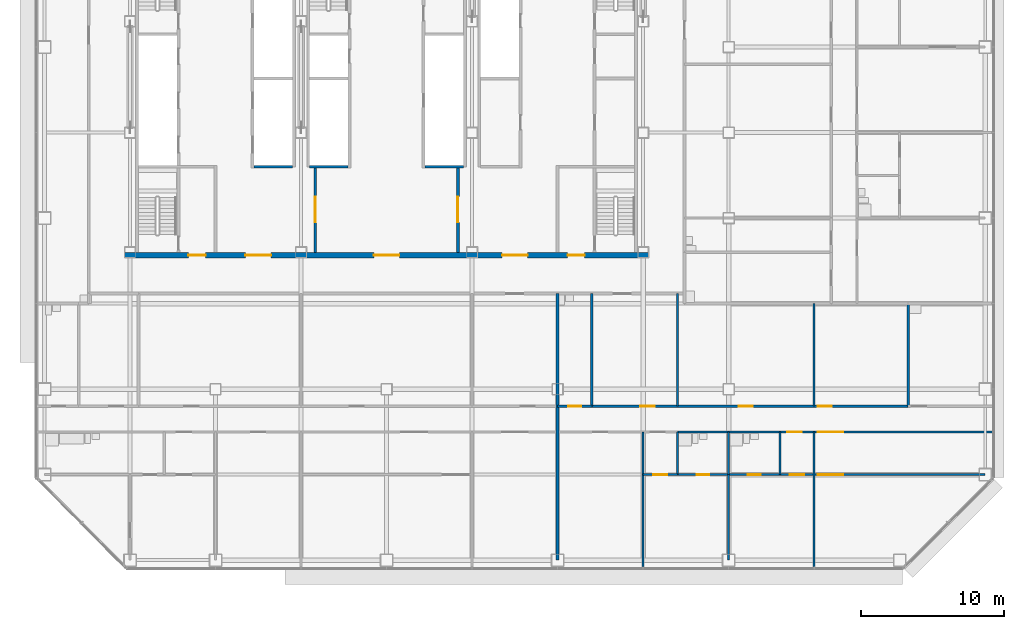
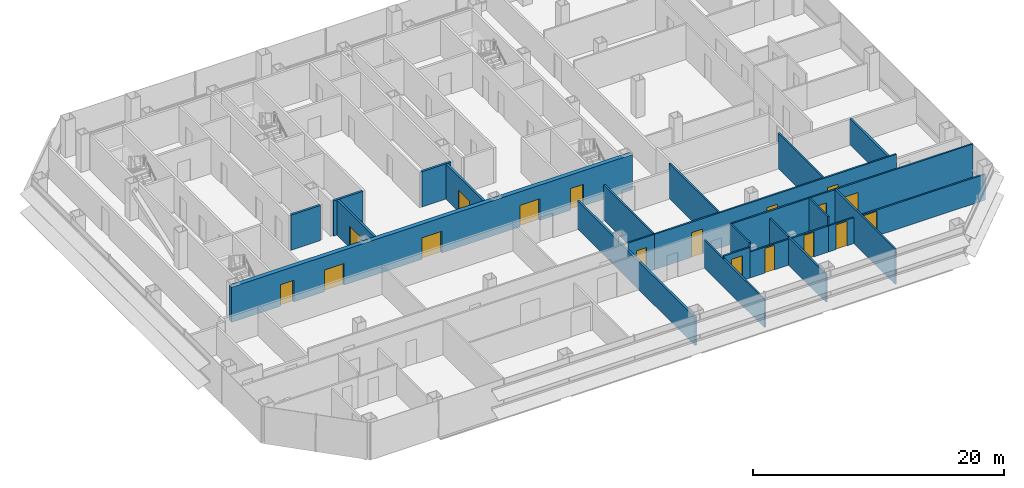
# One storey, part 21 of 27: 24 walls, 18 doors, 18 openings.
"""IFC4 building model written with IfcOpenShell, lengths in metres."""

import ifcopenshell
import ifcopenshell.guid

model = None  # the IFC model being written
_history = None  # IfcOwnerHistory: only IFC2X3 demands one
_inside = {}  # id of a spatial element -> (the spatial element, [elements in it])
_under = {}  # id of a project, library or spatial element -> (it, [spatial elements below it])
_declared = {}  # id of a project -> (the project, [libraries it declares])
_typed = {}  # id of a type object -> (the type object, [elements of that type])
_made_of = {}  # id of a material, layer set ... -> (it, [elements and type objects made of it])


def new_model(schema):
    """Start an empty IFC model of exactly this schema.

    Asked for "IFC4X3", IfcOpenShell would pick the latest addendum, in which some entities
    have other attributes; the version numbers below select the first issue.
    IFC2X3 requires an IfcOwnerHistory on every rooted entity: one is made here for all.
    """
    global model, _history
    if schema == "IFC4X3":
        model = ifcopenshell.file(schema_version=(4, 3, 0, 0))
    else:
        model = ifcopenshell.file(schema=schema)
    _inside.clear()
    _under.clear()
    _declared.clear()
    _typed.clear()
    _made_of.clear()
    _history = None
    if model.schema == "IFC2X3":
        org = make("IfcOrganization", Name="unknown")
        user = make(
            "IfcPersonAndOrganization",
            ThePerson=make("IfcPerson", FamilyName="unknown"),
            TheOrganization=org,
        )
        app = make(
            "IfcApplication",
            ApplicationDeveloper=org,
            Version="unknown",
            ApplicationFullName="unknown",
            ApplicationIdentifier="unknown",
        )
        _history = make(
            "IfcOwnerHistory",
            OwningUser=user,
            OwningApplication=app,
            ChangeAction="ADDED",
            CreationDate=0,
        )
    return model


def make(cls, **values):
    """One entity of the class cls with the attributes given. An attribute that is None is left unset."""
    return model.create_entity(
        cls, **{name: value for name, value in values.items() if value is not None}
    )


def rooted(cls, **values):
    """An entity with a GlobalId (a new one), such as an element, a storey or a relation."""
    return make(cls, GlobalId=ifcopenshell.guid.new(), OwnerHistory=_history, **values)


def si_unit(unit_type, name, prefix=None):
    """IfcSIUnit, for example si_unit("LENGTHUNIT", "METRE", prefix="MILLI")."""
    return make("IfcSIUnit", UnitType=unit_type, Prefix=prefix, Name=name)


def assignment(units):
    """IfcUnitAssignment: the units of a project."""
    return None if units is None else make("IfcUnitAssignment", Units=units)


def point(xyz):
    """IfcCartesianPoint."""
    return None if xyz is None else make("IfcCartesianPoint", Coordinates=xyz)


def direction(xyz):
    """IfcDirection."""
    return None if xyz is None else make("IfcDirection", DirectionRatios=xyz)


def frame(location, z_axis=None, x_axis=None):
    """IfcAxis2Placement3D, a coordinate frame: its origin and axes. An axis left out is left unset."""
    return make(
        "IfcAxis2Placement3D",
        Location=point(location),
        Axis=direction(z_axis),
        RefDirection=direction(x_axis),
    )


def frame_2d(location, x_axis=None):
    """IfcAxis2Placement2D, a coordinate frame in the plane: its origin and x axis."""
    return make(
        "IfcAxis2Placement2D", Location=point(location), RefDirection=direction(x_axis)
    )


def origin():
    """The frame at (0, 0, 0) with its axes left unset."""
    return frame((0.0, 0.0, 0.0))


def place(relative_to, where):
    """IfcLocalPlacement: puts the frame where relative to a parent placement (None: the world)."""
    return make(
        "IfcLocalPlacement", PlacementRelTo=relative_to, RelativePlacement=where
    )


def context(
    kind, dimensions, precision=None, world=None, true_north=None, identifier=None
):
    """IfcGeometricRepresentationContext, for example the 3D "Model" context."""
    return make(
        "IfcGeometricRepresentationContext",
        ContextIdentifier=identifier,
        ContextType=kind,
        CoordinateSpaceDimension=dimensions,
        Precision=precision,
        WorldCoordinateSystem=world,
        TrueNorth=true_north,
    )


def subcontext(parent, identifier, kind, view, scale=None):
    """IfcGeometricRepresentationSubContext, for example "Body" below "Model"."""
    return make(
        "IfcGeometricRepresentationSubContext",
        ContextIdentifier=identifier,
        ContextType=kind,
        ParentContext=parent,
        TargetScale=scale,
        TargetView=view,
    )


def project(units=None, contexts=None):
    """IfcProject with its units and contexts."""
    return rooted(
        "IfcProject",
        Name="project",
        RepresentationContexts=contexts,
        UnitsInContext=assignment(units),
    )


def spatial(cls, under=None, at=None, **own):
    """A site, building, storey or space (cls), placed at a placement, below another one or the project."""
    s = rooted(cls, ObjectPlacement=at, **own)
    if under is not None:
        _under.setdefault(under.id(), (under, []))[1].append(s)
    return s


def profile(cls, at=None, kind="AREA", **sizes):
    """A parametric profile (cls). Its sizes go by their IFC names, for example OverallWidth=200.0."""
    return make(cls, ProfileType=kind, Position=at, **sizes)


def rectangle(**sizes):
    """IfcRectangleProfileDef."""
    return profile("IfcRectangleProfileDef", **sizes)


def extrude(swept, where, along, depth):
    """IfcExtrudedAreaSolid: the profile swept, set in the frame where, extruded along a direction by depth."""
    return make(
        "IfcExtrudedAreaSolid",
        SweptArea=swept,
        Position=where,
        ExtrudedDirection=direction(along),
        Depth=depth,
    )


def shape(context_of_items, identifier, shape_type, items):
    """IfcShapeRepresentation: the items that make up one representation, for example the "Body"."""
    return make(
        "IfcShapeRepresentation",
        ContextOfItems=context_of_items,
        RepresentationIdentifier=identifier,
        RepresentationType=shape_type,
        Items=items,
    )


def material(Name=None, Category=None):
    """IfcMaterial."""
    return make("IfcMaterial", Name=Name, Category=Category)


def layer(
    of_material, thickness, ventilated=None, Name=None, Category=None, Priority=None
):
    """IfcMaterialLayer: one layer of a wall or slab, of a material (None: an air gap)."""
    return make(
        "IfcMaterialLayer",
        Material=of_material,
        LayerThickness=thickness,
        IsVentilated=ventilated,
        Name=Name,
        Category=Category,
        Priority=Priority,
    )


def layer_set(layers, Name=None):
    """IfcMaterialLayerSet."""
    return make("IfcMaterialLayerSet", MaterialLayers=layers, LayerSetName=Name)


def made_of(thing, what):
    """Note that an element or type object is made of a material, layer set ...; save() writes the relation."""
    if what is not None:
        _made_of.setdefault(what.id(), (what, []))[1].append(thing)
    return thing


def type_object(cls, material=None, **own):
    """A type object (cls), such as IfcWallType, which elements share."""
    return made_of(rooted(cls, **own), material)


def element(
    cls,
    number,
    at=None,
    inside=None,
    cuts=None,
    type_object=None,
    material=None,
    context=None,
    identifier="Body",
    shape_type=None,
    held_by="IfcProductDefinitionShape",
    body=None,
    shapes=None,
    **own,
):
    """One element of the class cls, such as IfcWall. Its Tag is "e" and its number.

    at: its placement. inside: the storey or other place that contains it. cuts: it is an
    opening in that element (IfcRelVoidsElement). A single representation is given by context,
    identifier, shape_type and body (its items); several are given by shapes. held_by: the class
    of the entity that holds the representations. save() writes the other relations.
    """
    e = rooted(cls, Tag="e%d" % number, ObjectPlacement=at, **own)
    if body is not None:
        shapes = [shape(context, identifier, shape_type, body)]
    if shapes is not None:
        e.Representation = make(held_by, Representations=shapes)
    if inside is not None:
        _inside.setdefault(inside.id(), (inside, []))[1].append(e)
    if cuts is not None:
        rooted(
            "IfcRelVoidsElement", RelatingBuildingElement=cuts, RelatedOpeningElement=e
        )
    if type_object is not None:
        _typed.setdefault(type_object.id(), (type_object, []))[1].append(e)
    return made_of(e, material)


def fill(opening, filler):
    """IfcRelFillsElement: the door or window that sits in an opening."""
    return rooted(
        "IfcRelFillsElement",
        RelatingOpeningElement=opening,
        RelatedBuildingElement=filler,
    )


def aggregate(whole, parts):
    """IfcRelAggregates: a whole, such as a stair, and the parts it consists of."""
    return rooted("IfcRelAggregates", RelatingObject=whole, RelatedObjects=parts)


def save(model, path):
    """Write the relations noted so far, then the file.

    IfcRelAggregates (storeys below a building ...), IfcRelContainedInSpatialStructure (elements
    in a storey), IfcRelDefinesByType, IfcRelAssociatesMaterial and IfcRelDeclares: one each for
    every whole, place, type object, material and project.
    """
    for whole, parts in _under.values():
        aggregate(whole, parts)
    for where, things in _inside.values():
        rooted(
            "IfcRelContainedInSpatialStructure",
            RelatedElements=things,
            RelatingStructure=where,
        )
    for kind, things in _typed.values():
        rooted("IfcRelDefinesByType", RelatedObjects=things, RelatingType=kind)
    for what, things in _made_of.values():
        rooted("IfcRelAssociatesMaterial", RelatedObjects=things, RelatingMaterial=what)
    for by, libraries in _declared.values():
        rooted("IfcRelDeclares", RelatingContext=by, RelatedDefinitions=libraries)
    model.write(path)


model = new_model("IFC4")

# Units and contexts
model_context = context("Model", 3, precision=1e-05, world=origin(), true_north=direction((0.0, 1.0)))
body_context = subcontext(model_context, "Body", "Model", "MODEL_VIEW")
ifc_project = project(units=[si_unit("LENGTHUNIT", "METRE"), si_unit("AREAUNIT", "SQUARE_METRE"), si_unit("VOLUMEUNIT", "CUBIC_METRE"), si_unit("PLANEANGLEUNIT", "RADIAN"), si_unit("MASSUNIT", "GRAM", prefix="KILO")], contexts=[model_context])

# Site, building, storey
site_placement = place(None, origin())
site = spatial("IfcSite", under=ifc_project, at=site_placement, CompositionType="ELEMENT")
building_placement = place(site_placement, origin())
building = spatial("IfcBuilding", under=site, at=building_placement, Name="Sorahane Residences", CompositionType="ELEMENT")
storey_placement = place(building_placement, frame((0.0, 0.0, 57.0)))
storey = spatial("IfcBuildingStorey", under=building, at=storey_placement, Name="L10", CompositionType="ELEMENT", Elevation=57.0)

# Walls
ifc_material_1 = material(Name="Concrete blockwork C20 wall", Category="masonry")
ifc_layer_1 = layer(ifc_material_1, 0.199951171875)
ifc_layer_set_1 = layer_set([ifc_layer_1], Name="Kitchen wall 200 EI 180")
wall_type_1 = type_object("IfcWallType", Name="Kitchen wall 200 EI 180", PredefinedType="SOLIDWALL", material=ifc_layer_set_1)
wall_1_placement = place(storey_placement, frame((60.60009765625, 10.800048828125, 0.0), z_axis=(0.0, 0.0, 1.0), x_axis=(0.0, 1.0, 0.0)))
element("IfcWall", 1, at=wall_1_placement, inside=storey, type_object=wall_type_1, Name="L10 kitchen wall", PredefinedType="SOLIDWALL", context=body_context, shape_type="SweptSolid", body=[
    extrude(rectangle(XDim=7.199951171875, YDim=0.199951171875, at=frame_2d((3.60009765625, 0.0))), origin(), (0.0, 0.0, 1.0), 2.52001953125),
])
ifc_material_2 = material(Name="Concrete C30", Category="concrete")
ifc_layer_2 = layer(ifc_material_2, 0.199951171875)
ifc_layer_set_2 = layer_set([ifc_layer_2], Name="Lift shaft wall 200 EI 120")
wall_type_2 = type_object("IfcWallType", Name="Lift shaft wall 200 EI 120", PredefinedType="SOLIDWALL", material=ifc_layer_set_2)
for number, where, z_axis, x_axis, name in (
    (2, (14.699951171875, 27.60009765625, 0.0), (0.0, 0.0, 1.0), (1.0, 0.0, 0.0), "L10 lift shaft wall"),
    (3, (18.60009765625, 27.60009765625, 0.0), (0.0, 0.0, 1.0), (1.0, 0.0, 0.0), "L10 lift shaft wall"),
):
    element("IfcWall", number, at=place(storey_placement, frame(where, z_axis=z_axis, x_axis=x_axis)), inside=storey, type_object=wall_type_2, Name=name, PredefinedType="SOLIDWALL", context=body_context, shape_type="SweptSolid", body=[
        extrude(rectangle(XDim=2.699951171875, YDim=0.199951171875, at=frame_2d((1.35009765625, 0.0))), origin(), (0.0, 0.0, 1.0), 3.419921875),
    ])
ifc_material_3 = material(Name="Gypsum board partition on steel studs", Category="steel")
ifc_layer_3 = layer(ifc_material_3, 0.14990234375)
ifc_layer_set_3 = layer_set([ifc_layer_3], Name="Partition 150 EI 90")
wall_type_3 = type_object("IfcWallType", Name="Partition 150 EI 90", PredefinedType="PARTITIONING", material=ifc_layer_set_3)
wall_2_placement = place(storey_placement, frame((42.0, -0.60009765625, 0.0), z_axis=(0.0, 0.0, 1.0), x_axis=(0.0, 1.0, 0.0)))
element("IfcWall", 4, at=wall_2_placement, inside=storey, type_object=wall_type_3, Name="L10 partition", PredefinedType="PARTITIONING", context=body_context, shape_type="SweptSolid", body=[
    extrude(rectangle(XDim=9.60009765625, YDim=0.14990234375, at=frame_2d((4.800048828125, 0.0))), origin(), (0.0, 0.0, 1.0), 2.719970703125),
])
wall_3_placement = place(storey_placement, frame((44.39990234375, 10.800048828125, 0.0), z_axis=(0.0, 0.0, 1.0), x_axis=(0.0, 1.0, 0.0)))
element("IfcWall", 5, at=wall_3_placement, inside=storey, type_object=wall_type_3, Name="L10 partition", PredefinedType="PARTITIONING", context=body_context, shape_type="SweptSolid", body=[
    extrude(rectangle(XDim=7.89990234375, YDim=0.14990234375, at=frame_2d((3.949951171875, 0.0))), origin(), (0.0, 0.0, 1.0), 3.419921875),
])
wall_4_placement = place(storey_placement, frame((48.0, 0.0, 0.0), z_axis=(0.0, 0.0, 1.0), x_axis=(0.0, 1.0, 0.0)))
element("IfcWall", 6, at=wall_4_placement, inside=storey, type_object=wall_type_3, Name="L10 partition", PredefinedType="PARTITIONING", context=body_context, shape_type="SweptSolid", body=[
    extrude(rectangle(XDim=6.0, YDim=0.14990234375, at=frame_2d((3.0, 0.0))), origin(), (0.0, 0.0, 1.0), 2.719970703125),
])
wall_5_placement = place(storey_placement, frame((54.0, -0.60009765625, 0.0), z_axis=(0.0, 0.0, 1.0), x_axis=(0.0, 1.0, 0.0)))
element("IfcWall", 7, at=wall_5_placement, inside=storey, type_object=wall_type_3, Name="L10 partition", PredefinedType="PARTITIONING", context=body_context, shape_type="SweptSolid", body=[
    extrude(rectangle(XDim=9.60009765625, YDim=0.14990234375, at=frame_2d((4.800048828125, 0.0))), origin(), (0.0, 0.0, 1.0), 3.419921875),
])
wall_6_placement = place(storey_placement, frame((54.0, 10.800048828125, 0.0), z_axis=(0.0, 0.0, 1.0), x_axis=(0.0, 1.0, 0.0)))
element("IfcWall", 8, at=wall_6_placement, inside=storey, type_object=wall_type_3, Name="L10 partition", PredefinedType="PARTITIONING", context=body_context, shape_type="SweptSolid", body=[
    extrude(rectangle(XDim=7.199951171875, YDim=0.14990234375, at=frame_2d((3.60009765625, 0.0))), origin(), (0.0, 0.0, 1.0), 3.419921875),
])

# Wall, openings, doors
wall_7_placement = place(storey_placement, frame((38.39990234375, 10.800048828125, 0.0), z_axis=(0.0, 0.0, 1.0), x_axis=(1.0, 0.0, 0.0)))
wall_7 = element("IfcWall", 9, at=wall_7_placement, inside=storey, type_object=wall_type_3, Name="L10 partition", PredefinedType="PARTITIONING", context=body_context, shape_type="SweptSolid", body=[
    extrude(rectangle(XDim=22.2001953125, YDim=0.14990234375, at=frame_2d((11.10009765625, 0.0))), origin(), (0.0, 0.0, 1.0), 3.419921875),
])
opening_1_placement = place(wall_7_placement, frame((3.39990234375, 0.0, 0.0)))
opening_1 = element("IfcOpeningElement", 10, at=opening_1_placement, cuts=wall_7, Name="Opening L10-14", PredefinedType="OPENING", context=body_context, shape_type="SweptSolid", body=[
    extrude(rectangle(XDim=1.0, YDim=2.39990234375, at=frame_2d((0.5, 1.199951171875))), frame((0.0, 0.0849609375, 0.0), z_axis=(0.0, -1.0, 0.0), x_axis=(1.0, 0.0, 0.0)), (0.0, 0.0, 1.0), 0.169921875),
])
opening_2_placement = place(wall_7_placement, frame((10.300048828125, 0.0, 0.0)))
opening_2 = element("IfcOpeningElement", 11, at=opening_2_placement, cuts=wall_7, Name="Opening L10-16", PredefinedType="OPENING", context=body_context, shape_type="SweptSolid", body=[
    extrude(rectangle(XDim=1.0, YDim=2.39990234375, at=frame_2d((0.5, 1.199951171875))), frame((0.0, 0.0849609375, 0.0), z_axis=(0.0, -1.0, 0.0), x_axis=(1.0, 0.0, 0.0)), (0.0, 0.0, 1.0), 0.169921875),
])
opening_3_placement = place(wall_7_placement, frame((15.85009765625, 0.0, 0.0)))
opening_3 = element("IfcOpeningElement", 12, at=opening_3_placement, cuts=wall_7, Name="Opening L10-17", PredefinedType="OPENING", context=body_context, shape_type="SweptSolid", body=[
    extrude(rectangle(XDim=1.0, YDim=2.39990234375, at=frame_2d((0.5, 1.199951171875))), frame((0.0, 0.0849609375, 0.0), z_axis=(0.0, -1.0, 0.0), x_axis=(1.0, 0.0, 0.0)), (0.0, 0.0, 1.0), 0.169921875),
])
ifc_material_4 = material(Name="Timber veneered fire door", Category="wood")
door_type_1 = type_object("IfcDoorType", Name="Room door 1000x2400 FD30", OperationType="NOTDEFINED", PredefinedType="DOOR", material=ifc_material_4)
door_1_placement = place(opening_1_placement, frame((1.0, 0.0, 0.0), z_axis=(0.0, 0.0, 1.0), x_axis=(-1.0, 0.0, 0.0)))
door_1 = element("IfcDoor", 13, at=door_1_placement, inside=storey, type_object=door_type_1, Name="Room door L10-14", OperationType="SINGLE_SWING_RIGHT", OverallHeight=2.39990234375, OverallWidth=1.0, PredefinedType="DOOR", context=body_context, shape_type="SweptSolid", body=[
    extrude(rectangle(XDim=1.0, YDim=2.39990234375, at=frame_2d((0.5, 1.199951171875))), frame((0.0, 0.02490234375, 0.0), z_axis=(0.0, -1.0, 0.0), x_axis=(1.0, 0.0, 0.0)), (0.0, 0.0, 1.0), 0.050048828125),
])
fill(opening_1, door_1)
door_2_placement = place(opening_2_placement, origin())
door_2 = element("IfcDoor", 14, at=door_2_placement, inside=storey, type_object=door_type_1, Name="Room door L10-16", OperationType="SINGLE_SWING_LEFT", OverallHeight=2.39990234375, OverallWidth=1.0, PredefinedType="DOOR", context=body_context, shape_type="SweptSolid", body=[
    extrude(rectangle(XDim=1.0, YDim=2.39990234375, at=frame_2d((0.5, 1.199951171875))), frame((0.0, 0.02490234375, 0.0), z_axis=(0.0, -1.0, 0.0), x_axis=(1.0, 0.0, 0.0)), (0.0, 0.0, 1.0), 0.050048828125),
])
fill(opening_2, door_2)
door_3_placement = place(opening_3_placement, origin())
door_3 = element("IfcDoor", 15, at=door_3_placement, inside=storey, type_object=door_type_1, Name="Room door L10-17", OperationType="SINGLE_SWING_RIGHT", OverallHeight=2.39990234375, OverallWidth=1.0, PredefinedType="DOOR", context=body_context, shape_type="SweptSolid", body=[
    extrude(rectangle(XDim=1.0, YDim=2.39990234375, at=frame_2d((0.5, 1.199951171875))), frame((0.0, 0.02490234375, 0.0), z_axis=(0.0, -1.0, 0.0), x_axis=(1.0, 0.0, 0.0)), (0.0, 0.0, 1.0), 0.050048828125),
])
fill(opening_3, door_3)

# Wall, opening, door
wall_8_placement = place(storey_placement, frame((42.0, 6.0, 0.0), z_axis=(0.0, 0.0, 1.0), x_axis=(1.0, 0.0, 0.0)))
wall_8 = element("IfcWall", 16, at=wall_8_placement, inside=storey, type_object=wall_type_3, Name="L10 partition", PredefinedType="PARTITIONING", context=body_context, shape_type="SweptSolid", body=[
    extrude(rectangle(XDim=2.39990234375, YDim=0.14990234375, at=frame_2d((1.199951171875, 0.0))), origin(), (0.0, 0.0, 1.0), 2.969970703125),
])
opening_4_placement = place(wall_8_placement, frame((0.699951171875, 0.0, 0.0)))
opening_4 = element("IfcOpeningElement", 17, at=opening_4_placement, cuts=wall_8, Name="Opening L10-23", PredefinedType="OPENING", context=body_context, shape_type="SweptSolid", body=[
    extrude(rectangle(XDim=1.0, YDim=2.39990234375, at=frame_2d((0.5, 1.199951171875))), frame((0.0, 0.0849609375, 0.0), z_axis=(0.0, -1.0, 0.0), x_axis=(1.0, 0.0, 0.0)), (0.0, 0.0, 1.0), 0.169921875),
])
door_4_placement = place(opening_4_placement, frame((1.0, 0.0, 0.0), z_axis=(0.0, 0.0, 1.0), x_axis=(-1.0, 0.0, 0.0)))
door_4 = element("IfcDoor", 18, at=door_4_placement, inside=storey, type_object=door_type_1, Name="Room door L10-23", OperationType="SINGLE_SWING_RIGHT", OverallHeight=2.39990234375, OverallWidth=1.0, PredefinedType="DOOR", context=body_context, shape_type="SweptSolid", body=[
    extrude(rectangle(XDim=1.0, YDim=2.39990234375, at=frame_2d((0.5, 1.199951171875))), frame((0.0, 0.02490234375, 0.0), z_axis=(0.0, -1.0, 0.0), x_axis=(1.0, 0.0, 0.0)), (0.0, 0.0, 1.0), 0.050048828125),
])
fill(opening_4, door_4)

# Wall, openings, doors
wall_9_placement = place(storey_placement, frame((51.60009765625, 6.0, 0.0), z_axis=(0.0, 0.0, 1.0), x_axis=(1.0, 0.0, 0.0)))
wall_9 = element("IfcWall", 19, at=wall_9_placement, inside=storey, type_object=wall_type_3, Name="L10 partition", PredefinedType="PARTITIONING", context=body_context, shape_type="SweptSolid", body=[
    extrude(rectangle(XDim=14.39990234375, YDim=0.14990234375, at=frame_2d((7.199951171875, 0.0))), origin(), (0.0, 0.0, 1.0), 2.52001953125),
])
opening_5_placement = place(wall_9_placement, frame((0.699951171875, 0.0, 0.0)))
opening_5 = element("IfcOpeningElement", 20, at=opening_5_placement, cuts=wall_9, Name="Opening L10-25", PredefinedType="OPENING", context=body_context, shape_type="SweptSolid", body=[
    extrude(rectangle(XDim=1.0, YDim=2.39990234375, at=frame_2d((0.5, 1.199951171875))), frame((0.0, 0.0849609375, 0.0), z_axis=(0.0, -1.0, 0.0), x_axis=(1.0, 0.0, 0.0)), (0.0, 0.0, 1.0), 0.169921875),
])
opening_6_placement = place(wall_9_placement, frame((2.64990234375, 0.0, 0.0)))
opening_6 = element("IfcOpeningElement", 21, at=opening_6_placement, cuts=wall_9, Name="Opening L10-27", PredefinedType="OPENING", context=body_context, shape_type="SweptSolid", body=[
    extrude(rectangle(XDim=1.800048828125, YDim=2.39990234375, at=frame_2d((0.89990234375, 1.199951171875))), frame((0.0, 0.0849609375, 0.0), z_axis=(0.0, -1.0, 0.0), x_axis=(1.0, 0.0, 0.0)), (0.0, 0.0, 1.0), 0.169921875),
])
ifc_material_5 = material(Name="Timber veneered fire door", Category="wood")
door_type_2 = type_object("IfcDoorType", Name="Double door 1800x2400 FD30", OperationType="NOTDEFINED", PredefinedType="DOOR", material=ifc_material_5)
door_5_placement = place(opening_6_placement, frame((1.800048828125, 0.0, 0.0), z_axis=(0.0, 0.0, 1.0), x_axis=(-1.0, 0.0, 0.0)))
door_5 = element("IfcDoor", 22, at=door_5_placement, inside=storey, type_object=door_type_2, Name="Double door L10-27", OperationType="SINGLE_SWING_RIGHT", OverallHeight=2.39990234375, OverallWidth=1.800048828125, PredefinedType="DOOR", context=body_context, shape_type="SweptSolid", body=[
    extrude(rectangle(XDim=1.800048828125, YDim=2.39990234375, at=frame_2d((0.89990234375, 1.199951171875))), frame((0.0, 0.02490234375, 0.0), z_axis=(0.0, -1.0, 0.0), x_axis=(1.0, 0.0, 0.0)), (0.0, 0.0, 1.0), 0.050048828125),
])
fill(opening_6, door_5)
door_6_placement = place(opening_5_placement, frame((1.0, 0.0, 0.0), z_axis=(0.0, 0.0, 1.0), x_axis=(-1.0, 0.0, 0.0)))
door_6 = element("IfcDoor", 23, at=door_6_placement, inside=storey, type_object=door_type_1, Name="Room door L10-25", OperationType="SINGLE_SWING_RIGHT", OverallHeight=2.39990234375, OverallWidth=1.0, PredefinedType="DOOR", context=body_context, shape_type="SweptSolid", body=[
    extrude(rectangle(XDim=1.0, YDim=2.39990234375, at=frame_2d((0.5, 1.199951171875))), frame((0.0, 0.02490234375, 0.0), z_axis=(0.0, -1.0, 0.0), x_axis=(1.0, 0.0, 0.0)), (0.0, 0.0, 1.0), 0.050048828125),
])
fill(opening_5, door_6)

wall_10_placement = place(storey_placement, frame((51.60009765625, 9.0, 0.0), z_axis=(0.0, 0.0, 1.0), x_axis=(1.0, 0.0, 0.0)))
wall_10 = element("IfcWall", 24, at=wall_10_placement, inside=storey, type_object=wall_type_3, Name="L10 partition", PredefinedType="PARTITIONING", context=body_context, shape_type="SweptSolid", body=[
    extrude(rectangle(XDim=15.0, YDim=0.14990234375, at=frame_2d((7.5, 0.0))), origin(), (0.0, 0.0, 1.0), 3.419921875),
])
opening_7_placement = place(wall_10_placement, frame((0.52001953125, 0.0, 0.0)))
opening_7 = element("IfcOpeningElement", 25, at=opening_7_placement, cuts=wall_10, Name="Opening L10-21", PredefinedType="OPENING", context=body_context, shape_type="SweptSolid", body=[
    extrude(rectangle(XDim=1.0, YDim=2.39990234375, at=frame_2d((0.5, 1.199951171875))), frame((0.0, 0.0849609375, 0.0), z_axis=(0.0, -1.0, 0.0), x_axis=(1.0, 0.0, 0.0)), (0.0, 0.0, 1.0), 0.169921875),
])
opening_8_placement = place(wall_10_placement, frame((2.64990234375, 0.0, 0.0)))
opening_8 = element("IfcOpeningElement", 26, at=opening_8_placement, cuts=wall_10, Name="Opening L10-22", PredefinedType="OPENING", context=body_context, shape_type="SweptSolid", body=[
    extrude(rectangle(XDim=1.800048828125, YDim=2.39990234375, at=frame_2d((0.89990234375, 1.199951171875))), frame((0.0, 0.0849609375, 0.0), z_axis=(0.0, -1.0, 0.0), x_axis=(1.0, 0.0, 0.0)), (0.0, 0.0, 1.0), 0.169921875),
])
door_7_placement = place(opening_8_placement, frame((1.800048828125, 0.0, 0.0), z_axis=(0.0, 0.0, 1.0), x_axis=(-1.0, 0.0, 0.0)))
door_7 = element("IfcDoor", 27, at=door_7_placement, inside=storey, type_object=door_type_2, Name="Double door L10-22", OperationType="SINGLE_SWING_LEFT", OverallHeight=2.39990234375, OverallWidth=1.800048828125, PredefinedType="DOOR", context=body_context, shape_type="SweptSolid", body=[
    extrude(rectangle(XDim=1.800048828125, YDim=2.39990234375, at=frame_2d((0.89990234375, 1.199951171875))), frame((0.0, 0.02490234375, 0.0), z_axis=(0.0, -1.0, 0.0), x_axis=(1.0, 0.0, 0.0)), (0.0, 0.0, 1.0), 0.050048828125),
])
fill(opening_8, door_7)
door_8_placement = place(opening_7_placement, frame((1.0, 0.0, 0.0), z_axis=(0.0, 0.0, 1.0), x_axis=(-1.0, 0.0, 0.0)))
door_8 = element("IfcDoor", 28, at=door_8_placement, inside=storey, type_object=door_type_1, Name="Room door L10-21", OperationType="SINGLE_SWING_RIGHT", OverallHeight=2.39990234375, OverallWidth=1.0, PredefinedType="DOOR", context=body_context, shape_type="SweptSolid", body=[
    extrude(rectangle(XDim=1.0, YDim=2.39990234375, at=frame_2d((0.5, 1.199951171875))), frame((0.0, 0.02490234375, 0.0), z_axis=(0.0, -1.0, 0.0), x_axis=(1.0, 0.0, 0.0)), (0.0, 0.0, 1.0), 0.050048828125),
])
fill(opening_7, door_8)

# Walls
ifc_material_6 = material(Name="Concrete blockwork C20 wall", Category="masonry")
ifc_layer_4 = layer(ifc_material_6, 0.199951171875)
ifc_layer_set_4 = layer_set([ifc_layer_4], Name="Party wall 200 EI 120")
wall_type_4 = type_object("IfcWallType", Name="Party wall 200 EI 120", PredefinedType="SOLIDWALL", material=ifc_layer_set_4)
wall_11_placement = place(storey_placement, frame((36.0, 0.0, 0.0), z_axis=(0.0, 0.0, 1.0), x_axis=(0.0, 1.0, 0.0)))
element("IfcWall", 29, at=wall_11_placement, inside=storey, type_object=wall_type_4, Name="L10 party wall", PredefinedType="SOLIDWALL", context=body_context, shape_type="SweptSolid", body=[
    extrude(rectangle(XDim=18.699951171875, YDim=0.199951171875, at=frame_2d((9.35009765625, 0.0))), origin(), (0.0, 0.0, 1.0), 2.719970703125),
])
ifc_material_7 = material(Name="Concrete C30", Category="concrete")
ifc_layer_5 = layer(ifc_material_7, 0.199951171875)
ifc_layer_set_5 = layer_set([ifc_layer_5], Name="Riser shaft wall 200 EI 120")
wall_type_5 = type_object("IfcWallType", Name="Riser shaft wall 200 EI 120", PredefinedType="SOLIDWALL", material=ifc_layer_set_5)
wall_12_placement = place(storey_placement, frame((26.699951171875, 27.60009765625, 0.0), z_axis=(0.0, 0.0, 1.0), x_axis=(1.0, 0.0, 0.0)))
element("IfcWall", 30, at=wall_12_placement, inside=storey, type_object=wall_type_5, Name="L10 riser wall", PredefinedType="SOLIDWALL", context=body_context, shape_type="SweptSolid", body=[
    extrude(rectangle(XDim=2.699951171875, YDim=0.199951171875, at=frame_2d((1.35009765625, 0.0))), origin(), (0.0, 0.0, 1.0), 3.419921875),
])

# Wall, opening, door
ifc_material_8 = material(Name="Concrete C30", Category="concrete")
ifc_layer_6 = layer(ifc_material_8, 0.199951171875)
ifc_layer_set_6 = layer_set([ifc_layer_6], Name="Service room partition 200 EI 60")
wall_type_6 = type_object("IfcWallType", Name="Service room partition 200 EI 60", PredefinedType="PARTITIONING", material=ifc_layer_set_6)
wall_13_placement = place(storey_placement, frame((19.0, 21.60009765625, 0.0), z_axis=(0.0, 0.0, 1.0), x_axis=(0.0, 1.0, 0.0)))
wall_13 = element("IfcWall", 31, at=wall_13_placement, inside=storey, type_object=wall_type_6, Name="L10 service room wall", PredefinedType="PARTITIONING", context=body_context, shape_type="SweptSolid", body=[
    extrude(rectangle(XDim=6.0, YDim=0.199951171875, at=frame_2d((3.0, 0.0))), origin(), (0.0, 0.0, 1.0), 3.419921875),
])
opening_9_placement = place(wall_13_placement, frame((2.10009765625, 0.0, 0.0)))
opening_9 = element("IfcOpeningElement", 32, at=opening_9_placement, cuts=wall_13, Name="Opening L10-C02", PredefinedType="OPENING", context=body_context, shape_type="SweptSolid", body=[
    extrude(rectangle(XDim=1.800048828125, YDim=2.10009765625, at=frame_2d((0.89990234375, 1.050048828125))), frame((0.0, 0.10986328125, 0.0), z_axis=(0.0, -1.0, 0.0), x_axis=(1.0, 0.0, 0.0)), (0.0, 0.0, 1.0), 0.219970703125),
])
ifc_material_9 = material(Name="Steel", Category="steel")
door_type_3 = type_object("IfcDoorType", Name="Waiting hall door 1800x2100 FD60", OperationType="NOTDEFINED", PredefinedType="DOOR", material=ifc_material_9)
door_9_placement = place(opening_9_placement, origin())
door_9 = element("IfcDoor", 33, at=door_9_placement, inside=storey, type_object=door_type_3, Name="Waiting hall door Residents' waiting hall west L10", OperationType="SINGLE_SWING_LEFT", OverallHeight=2.10009765625, OverallWidth=1.800048828125, PredefinedType="DOOR", context=body_context, shape_type="SweptSolid", body=[
    extrude(rectangle(XDim=1.800048828125, YDim=2.10009765625, at=frame_2d((0.89990234375, 1.050048828125))), frame((0.0, 0.02490234375, 0.0), z_axis=(0.0, -1.0, 0.0), x_axis=(1.0, 0.0, 0.0)), (0.0, 0.0, 1.0), 0.050048828125),
])
fill(opening_9, door_9)

wall_14_placement = place(storey_placement, frame((29.0, 21.60009765625, 0.0), z_axis=(0.0, 0.0, 1.0), x_axis=(0.0, 1.0, 0.0)))
wall_14 = element("IfcWall", 34, at=wall_14_placement, inside=storey, type_object=wall_type_6, Name="L10 service room wall", PredefinedType="PARTITIONING", context=body_context, shape_type="SweptSolid", body=[
    extrude(rectangle(XDim=6.0, YDim=0.199951171875, at=frame_2d((3.0, 0.0))), origin(), (0.0, 0.0, 1.0), 3.419921875),
])
opening_10_placement = place(wall_14_placement, frame((2.10009765625, 0.0, 0.0)))
opening_10 = element("IfcOpeningElement", 35, at=opening_10_placement, cuts=wall_14, Name="Opening L10-C04", PredefinedType="OPENING", context=body_context, shape_type="SweptSolid", body=[
    extrude(rectangle(XDim=1.800048828125, YDim=2.10009765625, at=frame_2d((0.89990234375, 1.050048828125))), frame((0.0, 0.10986328125, 0.0), z_axis=(0.0, -1.0, 0.0), x_axis=(1.0, 0.0, 0.0)), (0.0, 0.0, 1.0), 0.219970703125),
])
door_10_placement = place(opening_10_placement, origin())
door_10 = element("IfcDoor", 36, at=door_10_placement, inside=storey, type_object=door_type_3, Name="Waiting hall door Residents' waiting hall centre L10", OperationType="SINGLE_SWING_LEFT", OverallHeight=2.10009765625, OverallWidth=1.800048828125, PredefinedType="DOOR", context=body_context, shape_type="SweptSolid", body=[
    extrude(rectangle(XDim=1.800048828125, YDim=2.10009765625, at=frame_2d((0.89990234375, 1.050048828125))), frame((0.0, 0.02490234375, 0.0), z_axis=(0.0, -1.0, 0.0), x_axis=(1.0, 0.0, 0.0)), (0.0, 0.0, 1.0), 0.050048828125),
])
fill(opening_10, door_10)

# Wall, openings, doors
ifc_material_10 = material(Name="Concrete C30", Category="concrete")
ifc_layer_7 = layer(ifc_material_10, 0.39990234375)
ifc_layer_set_7 = layer_set([ifc_layer_7], Name="Waiting hall wall 400 EI 120")
wall_type_7 = type_object("IfcWallType", Name="Waiting hall wall 400 EI 120", PredefinedType="SOLIDWALL", material=ifc_layer_set_7)
wall_15_placement = place(storey_placement, frame((5.60009765625, 21.39990234375, 0.0), z_axis=(0.0, 0.0, 1.0), x_axis=(1.0, 0.0, 0.0)))
wall_15 = element("IfcWall", 37, at=wall_15_placement, inside=storey, type_object=wall_type_7, Name="L10 waiting hall wall", PredefinedType="SOLIDWALL", context=body_context, shape_type="SweptSolid", body=[
    extrude(rectangle(XDim=36.7998046875, YDim=0.39990234375, at=frame_2d((18.39990234375, 0.0))), origin(), (0.0, 0.0, 1.0), 3.419921875),
])
opening_11_placement = place(wall_15_placement, frame((8.5, 0.0, 0.0)))
opening_11 = element("IfcOpeningElement", 38, at=opening_11_placement, cuts=wall_15, Name="Opening L10-C01", PredefinedType="OPENING", context=body_context, shape_type="SweptSolid", body=[
    extrude(rectangle(XDim=1.800048828125, YDim=2.10009765625, at=frame_2d((0.89990234375, 1.050048828125))), frame((0.0, 0.2099609375, 0.0), z_axis=(0.0, -1.0, 0.0), x_axis=(1.0, 0.0, 0.0)), (0.0, 0.0, 1.0), 0.419921875),
])
opening_12_placement = place(wall_15_placement, frame((17.5, 0.0, 0.0)))
opening_12 = element("IfcOpeningElement", 39, at=opening_12_placement, cuts=wall_15, Name="Opening L10-C03", PredefinedType="OPENING", context=body_context, shape_type="SweptSolid", body=[
    extrude(rectangle(XDim=1.800048828125, YDim=2.10009765625, at=frame_2d((0.89990234375, 1.050048828125))), frame((0.0, 0.2099609375, 0.0), z_axis=(0.0, -1.0, 0.0), x_axis=(1.0, 0.0, 0.0)), (0.0, 0.0, 1.0), 0.419921875),
])
opening_13_placement = place(wall_15_placement, frame((26.5, 0.0, 0.0)))
opening_13 = element("IfcOpeningElement", 40, at=opening_13_placement, cuts=wall_15, Name="Opening L10-C05", PredefinedType="OPENING", context=body_context, shape_type="SweptSolid", body=[
    extrude(rectangle(XDim=1.800048828125, YDim=2.10009765625, at=frame_2d((0.89990234375, 1.050048828125))), frame((0.0, 0.2099609375, 0.0), z_axis=(0.0, -1.0, 0.0), x_axis=(1.0, 0.0, 0.0)), (0.0, 0.0, 1.0), 0.419921875),
])
opening_14_placement = place(wall_15_placement, frame((4.5, 0.0, 0.0)))
opening_14 = element("IfcOpeningElement", 41, at=opening_14_placement, cuts=wall_15, Name="Opening L10-C06", PredefinedType="OPENING", context=body_context, shape_type="SweptSolid", body=[
    extrude(rectangle(XDim=1.199951171875, YDim=2.10009765625, at=frame_2d((0.60009765625, 1.050048828125))), frame((0.0, 0.2099609375, 0.0), z_axis=(0.0, -1.0, 0.0), x_axis=(1.0, 0.0, 0.0)), (0.0, 0.0, 1.0), 0.419921875),
])
opening_15_placement = place(wall_15_placement, frame((31.10009765625, 0.0, 0.0)))
opening_15 = element("IfcOpeningElement", 42, at=opening_15_placement, cuts=wall_15, Name="Opening L10-C07", PredefinedType="OPENING", context=body_context, shape_type="SweptSolid", body=[
    extrude(rectangle(XDim=1.199951171875, YDim=2.10009765625, at=frame_2d((0.60009765625, 1.050048828125))), frame((0.0, 0.2099609375, 0.0), z_axis=(0.0, -1.0, 0.0), x_axis=(1.0, 0.0, 0.0)), (0.0, 0.0, 1.0), 0.419921875),
])
ifc_material_11 = material(Name="Steel", Category="steel")
door_type_4 = type_object("IfcDoorType", Name="Stair front room door 1200x2100 FD120", OperationType="NOTDEFINED", PredefinedType="DOOR", material=ifc_material_11)
door_11_placement = place(opening_14_placement, frame((1.199951171875, 0.0, 0.0), z_axis=(0.0, 0.0, 1.0), x_axis=(-1.0, 0.0, 0.0)))
door_11 = element("IfcDoor", 43, at=door_11_placement, inside=storey, type_object=door_type_4, Name="Stair front room door Stair S4 front room L10", OperationType="SINGLE_SWING_LEFT", OverallHeight=2.10009765625, OverallWidth=1.199951171875, PredefinedType="DOOR", context=body_context, shape_type="SweptSolid", body=[
    extrude(rectangle(XDim=1.199951171875, YDim=2.10009765625, at=frame_2d((0.60009765625, 1.050048828125))), frame((0.0, 0.02490234375, 0.0), z_axis=(0.0, -1.0, 0.0), x_axis=(1.0, 0.0, 0.0)), (0.0, 0.0, 1.0), 0.050048828125),
])
fill(opening_14, door_11)
door_12_placement = place(opening_15_placement, frame((1.199951171875, 0.0, 0.0), z_axis=(0.0, 0.0, 1.0), x_axis=(-1.0, 0.0, 0.0)))
door_12 = element("IfcDoor", 44, at=door_12_placement, inside=storey, type_object=door_type_4, Name="Stair front room door Stair S5 front room L10", OperationType="SINGLE_SWING_LEFT", OverallHeight=2.10009765625, OverallWidth=1.199951171875, PredefinedType="DOOR", context=body_context, shape_type="SweptSolid", body=[
    extrude(rectangle(XDim=1.199951171875, YDim=2.10009765625, at=frame_2d((0.60009765625, 1.050048828125))), frame((0.0, 0.02490234375, 0.0), z_axis=(0.0, -1.0, 0.0), x_axis=(1.0, 0.0, 0.0)), (0.0, 0.0, 1.0), 0.050048828125),
])
fill(opening_15, door_12)
door_13_placement = place(opening_11_placement, frame((1.800048828125, 0.0, 0.0), z_axis=(0.0, 0.0, 1.0), x_axis=(-1.0, 0.0, 0.0)))
door_13 = element("IfcDoor", 45, at=door_13_placement, inside=storey, type_object=door_type_3, Name="Waiting hall door Residents' waiting hall west L10", OperationType="SINGLE_SWING_LEFT", OverallHeight=2.10009765625, OverallWidth=1.800048828125, PredefinedType="DOOR", context=body_context, shape_type="SweptSolid", body=[
    extrude(rectangle(XDim=1.800048828125, YDim=2.10009765625, at=frame_2d((0.89990234375, 1.050048828125))), frame((0.0, 0.02490234375, 0.0), z_axis=(0.0, -1.0, 0.0), x_axis=(1.0, 0.0, 0.0)), (0.0, 0.0, 1.0), 0.050048828125),
])
fill(opening_11, door_13)
door_14_placement = place(opening_12_placement, frame((1.800048828125, 0.0, 0.0), z_axis=(0.0, 0.0, 1.0), x_axis=(-1.0, 0.0, 0.0)))
door_14 = element("IfcDoor", 46, at=door_14_placement, inside=storey, type_object=door_type_3, Name="Waiting hall door Residents' waiting hall centre L10", OperationType="SINGLE_SWING_LEFT", OverallHeight=2.10009765625, OverallWidth=1.800048828125, PredefinedType="DOOR", context=body_context, shape_type="SweptSolid", body=[
    extrude(rectangle(XDim=1.800048828125, YDim=2.10009765625, at=frame_2d((0.89990234375, 1.050048828125))), frame((0.0, 0.02490234375, 0.0), z_axis=(0.0, -1.0, 0.0), x_axis=(1.0, 0.0, 0.0)), (0.0, 0.0, 1.0), 0.050048828125),
])
fill(opening_12, door_14)
door_15_placement = place(opening_13_placement, frame((1.800048828125, 0.0, 0.0), z_axis=(0.0, 0.0, 1.0), x_axis=(-1.0, 0.0, 0.0)))
door_15 = element("IfcDoor", 47, at=door_15_placement, inside=storey, type_object=door_type_3, Name="Waiting hall door Residents' waiting hall east L10", OperationType="SINGLE_SWING_LEFT", OverallHeight=2.10009765625, OverallWidth=1.800048828125, PredefinedType="DOOR", context=body_context, shape_type="SweptSolid", body=[
    extrude(rectangle(XDim=1.800048828125, YDim=2.10009765625, at=frame_2d((0.89990234375, 1.050048828125))), frame((0.0, 0.02490234375, 0.0), z_axis=(0.0, -1.0, 0.0), x_axis=(1.0, 0.0, 0.0)), (0.0, 0.0, 1.0), 0.050048828125),
])
fill(opening_13, door_15)

# Walls
ifc_material_12 = material(Name="Gypsum board partition on steel studs", Category="steel")
ifc_layer_8 = layer(ifc_material_12, 0.14990234375)
ifc_layer_set_8 = layer_set([ifc_layer_8], Name="Wet wall 150 EI 90")
wall_type_8 = type_object("IfcWallType", Name="Wet wall 150 EI 90", PredefinedType="PARTITIONING", material=ifc_layer_set_8)
wall_16_placement = place(storey_placement, frame((38.39990234375, 10.800048828125, 0.0), z_axis=(0.0, 0.0, 1.0), x_axis=(0.0, 1.0, 0.0)))
element("IfcWall", 48, at=wall_16_placement, inside=storey, type_object=wall_type_8, Name="L10 wet wall", PredefinedType="PARTITIONING", context=body_context, shape_type="SweptSolid", body=[
    extrude(rectangle(XDim=7.89990234375, YDim=0.14990234375, at=frame_2d((3.949951171875, 0.0))), origin(), (0.0, 0.0, 1.0), 3.419921875),
])
wall_17_placement = place(storey_placement, frame((44.39990234375, 6.0, 0.0), z_axis=(0.0, 0.0, 1.0), x_axis=(0.0, 1.0, 0.0)))
element("IfcWall", 49, at=wall_17_placement, inside=storey, type_object=wall_type_8, Name="L10 wet wall", PredefinedType="PARTITIONING", context=body_context, shape_type="SweptSolid", body=[
    extrude(rectangle(XDim=3.0, YDim=0.14990234375, at=frame_2d((1.5, 0.0))), origin(), (0.0, 0.0, 1.0), 3.419921875),
])
wall_18_placement = place(storey_placement, frame((48.0, 6.0, 0.0), z_axis=(0.0, 0.0, 1.0), x_axis=(0.0, 1.0, 0.0)))
element("IfcWall", 50, at=wall_18_placement, inside=storey, type_object=wall_type_8, Name="L10 wet wall", PredefinedType="PARTITIONING", context=body_context, shape_type="SweptSolid", body=[
    extrude(rectangle(XDim=3.0, YDim=0.14990234375, at=frame_2d((1.5, 0.0))), origin(), (0.0, 0.0, 1.0), 2.719970703125),
])
wall_19_placement = place(storey_placement, frame((51.60009765625, 6.0, 0.0), z_axis=(0.0, 0.0, 1.0), x_axis=(0.0, 1.0, 0.0)))
element("IfcWall", 51, at=wall_19_placement, inside=storey, type_object=wall_type_8, Name="L10 wet wall", PredefinedType="PARTITIONING", context=body_context, shape_type="SweptSolid", body=[
    extrude(rectangle(XDim=3.0, YDim=0.14990234375, at=frame_2d((1.5, 0.0))), origin(), (0.0, 0.0, 1.0), 3.419921875),
])

# Wall, opening, door
wall_20_placement = place(storey_placement, frame((36.0, 10.800048828125, 0.0), z_axis=(0.0, 0.0, 1.0), x_axis=(1.0, 0.0, 0.0)))
wall_20 = element("IfcWall", 52, at=wall_20_placement, inside=storey, type_object=wall_type_8, Name="L10 wet wall", PredefinedType="PARTITIONING", context=body_context, shape_type="SweptSolid", body=[
    extrude(rectangle(XDim=2.39990234375, YDim=0.14990234375, at=frame_2d((1.199951171875, 0.0))), origin(), (0.0, 0.0, 1.0), 3.419921875),
])
opening_16_placement = place(wall_20_placement, frame((0.75, 0.0, 0.0)))
opening_16 = element("IfcOpeningElement", 53, at=opening_16_placement, cuts=wall_20, Name="Opening L10-15", PredefinedType="OPENING", context=body_context, shape_type="SweptSolid", body=[
    extrude(rectangle(XDim=0.89990234375, YDim=2.39990234375, at=frame_2d((0.449951171875, 1.199951171875))), frame((0.0, 0.0849609375, 0.0), z_axis=(0.0, -1.0, 0.0), x_axis=(1.0, 0.0, 0.0)), (0.0, 0.0, 1.0), 0.169921875),
])
ifc_material_13 = material(Name="Timber veneered fire door", Category="wood")
door_type_5 = type_object("IfcDoorType", Name="Bathroom door 900x2400 FD30", OperationType="NOTDEFINED", PredefinedType="DOOR", material=ifc_material_13)
door_16_placement = place(opening_16_placement, frame((0.89990234375, 0.0, 0.0), z_axis=(0.0, 0.0, 1.0), x_axis=(-1.0, 0.0, 0.0)))
door_16 = element("IfcDoor", 54, at=door_16_placement, inside=storey, type_object=door_type_5, Name="Bathroom door L10-15", OperationType="SINGLE_SWING_RIGHT", OverallHeight=2.39990234375, OverallWidth=0.89990234375, PredefinedType="DOOR", context=body_context, shape_type="SweptSolid", body=[
    extrude(rectangle(XDim=0.89990234375, YDim=2.39990234375, at=frame_2d((0.449951171875, 1.199951171875))), frame((0.0, 0.02490234375, 0.0), z_axis=(0.0, -1.0, 0.0), x_axis=(1.0, 0.0, 0.0)), (0.0, 0.0, 1.0), 0.050048828125),
])
fill(opening_16, door_16)

# Wall, openings, doors
wall_21_placement = place(storey_placement, frame((44.39990234375, 6.0, 0.0), z_axis=(0.0, 0.0, 1.0), x_axis=(1.0, 0.0, 0.0)))
wall_21 = element("IfcWall", 55, at=wall_21_placement, inside=storey, type_object=wall_type_8, Name="L10 wet wall", PredefinedType="PARTITIONING", context=body_context, shape_type="SweptSolid", body=[
    extrude(rectangle(XDim=7.2001953125, YDim=0.14990234375, at=frame_2d((3.60009765625, 0.0))), origin(), (0.0, 0.0, 1.0), 2.52001953125),
])
opening_17_placement = place(wall_21_placement, frame((1.35009765625, 0.0, 0.0)))
opening_17 = element("IfcOpeningElement", 56, at=opening_17_placement, cuts=wall_21, Name="Opening L10-24", PredefinedType="OPENING", context=body_context, shape_type="SweptSolid", body=[
    extrude(rectangle(XDim=0.89990234375, YDim=2.39990234375, at=frame_2d((0.449951171875, 1.199951171875))), frame((0.0, 0.0849609375, 0.0), z_axis=(0.0, -1.0, 0.0), x_axis=(1.0, 0.0, 0.0)), (0.0, 0.0, 1.0), 0.169921875),
])
opening_18_placement = place(wall_21_placement, frame((4.949951171875, 0.0, 0.0)))
opening_18 = element("IfcOpeningElement", 57, at=opening_18_placement, cuts=wall_21, Name="Opening L10-26", PredefinedType="OPENING", context=body_context, shape_type="SweptSolid", body=[
    extrude(rectangle(XDim=0.89990234375, YDim=2.39990234375, at=frame_2d((0.449951171875, 1.199951171875))), frame((0.0, 0.0849609375, 0.0), z_axis=(0.0, -1.0, 0.0), x_axis=(1.0, 0.0, 0.0)), (0.0, 0.0, 1.0), 0.169921875),
])
door_17_placement = place(opening_17_placement, frame((0.89990234375, 0.0, 0.0), z_axis=(0.0, 0.0, 1.0), x_axis=(-1.0, 0.0, 0.0)))
door_17 = element("IfcDoor", 58, at=door_17_placement, inside=storey, type_object=door_type_5, Name="Bathroom door L10-24", OperationType="SINGLE_SWING_LEFT", OverallHeight=2.39990234375, OverallWidth=0.89990234375, PredefinedType="DOOR", context=body_context, shape_type="SweptSolid", body=[
    extrude(rectangle(XDim=0.89990234375, YDim=2.39990234375, at=frame_2d((0.449951171875, 1.199951171875))), frame((0.0, 0.02490234375, 0.0), z_axis=(0.0, -1.0, 0.0), x_axis=(1.0, 0.0, 0.0)), (0.0, 0.0, 1.0), 0.050048828125),
])
fill(opening_17, door_17)
door_18_placement = place(opening_18_placement, frame((0.89990234375, 0.0, 0.0), z_axis=(0.0, 0.0, 1.0), x_axis=(-1.0, 0.0, 0.0)))
door_18 = element("IfcDoor", 59, at=door_18_placement, inside=storey, type_object=door_type_5, Name="Bathroom door L10-26", OperationType="SINGLE_SWING_LEFT", OverallHeight=2.39990234375, OverallWidth=0.89990234375, PredefinedType="DOOR", context=body_context, shape_type="SweptSolid", body=[
    extrude(rectangle(XDim=0.89990234375, YDim=2.39990234375, at=frame_2d((0.449951171875, 1.199951171875))), frame((0.0, 0.02490234375, 0.0), z_axis=(0.0, -1.0, 0.0), x_axis=(1.0, 0.0, 0.0)), (0.0, 0.0, 1.0), 0.050048828125),
])
fill(opening_18, door_18)

# Wall
wall_22_placement = place(storey_placement, frame((44.39990234375, 9.0, 0.0), z_axis=(0.0, 0.0, 1.0), x_axis=(1.0, 0.0, 0.0)))
element("IfcWall", 60, at=wall_22_placement, inside=storey, type_object=wall_type_8, Name="L10 wet wall", PredefinedType="PARTITIONING", context=body_context, shape_type="SweptSolid", body=[
    extrude(rectangle(XDim=7.2001953125, YDim=0.14990234375, at=frame_2d((3.60009765625, 0.0))), origin(), (0.0, 0.0, 1.0), 3.419921875),
])

save(model, "model.ifc")
